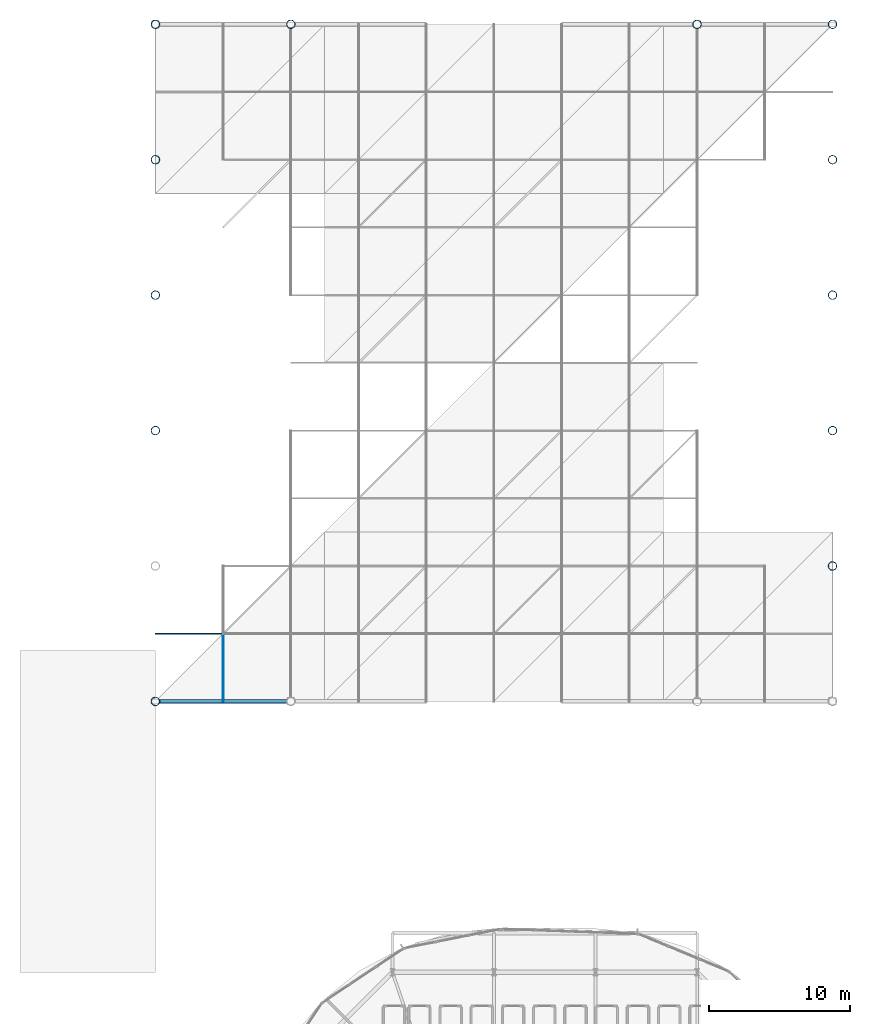
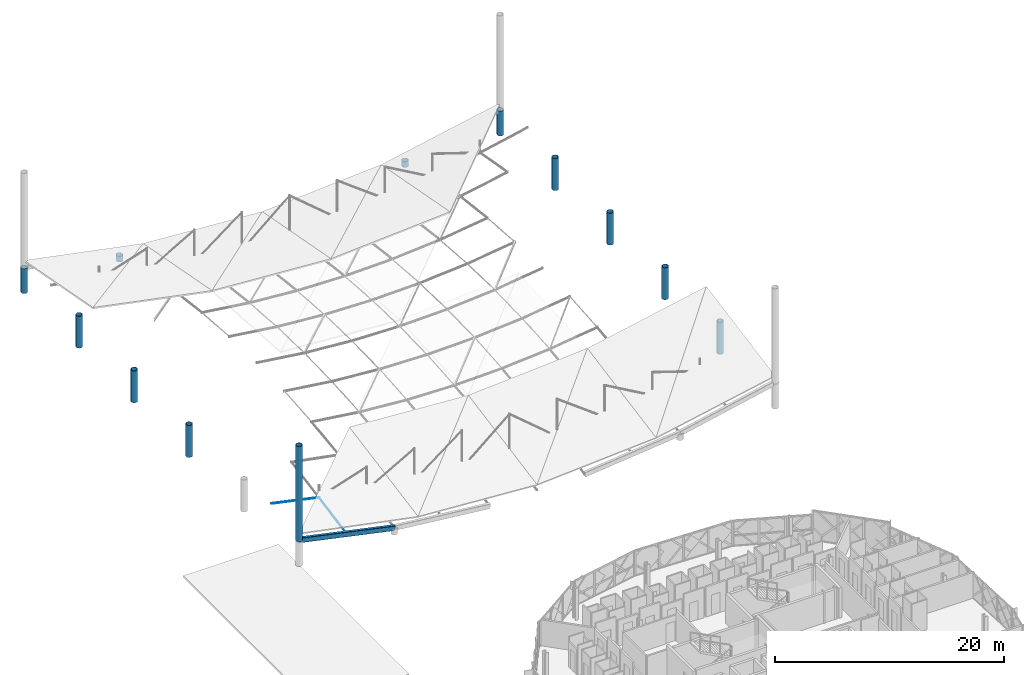
# One storey, part 6 of 40: 11 columns, 3 members, 1 beam.
"""IFC4 building model written with IfcOpenShell, lengths in metres."""

from ifc_helpers import new_model, si_unit, direction, frame, origin, origin_2d, place, context, subcontext, project, spatial, hollow_rectangle, circle, hollow_circle, extrude, material, material_profile, profile_set, type_object, element, save


model = new_model("IFC4")

# Units and contexts
model_context = context("Model", 3, precision=1e-05, world=origin(), true_north=direction((0.0, 1.0)))
body_context = subcontext(model_context, "Body", "Model", "MODEL_VIEW")
ifc_project = project(units=[si_unit("LENGTHUNIT", "METRE"), si_unit("AREAUNIT", "SQUARE_METRE"), si_unit("VOLUMEUNIT", "CUBIC_METRE"), si_unit("PLANEANGLEUNIT", "RADIAN"), si_unit("MASSUNIT", "GRAM", prefix="KILO")], contexts=[model_context])

# Site, building, storey
site_placement = place(None, origin())
site = spatial("IfcSite", under=ifc_project, at=site_placement, CompositionType="ELEMENT")
building_placement = place(site_placement, origin())
building = spatial("IfcBuilding", under=site, at=building_placement, Name="Zevrakil Square Congress Hotel", CompositionType="ELEMENT")
storey_placement = place(building_placement, frame((0.0, 0.0, 18.10009765625)))
storey = spatial("IfcBuildingStorey", under=building, at=storey_placement, Name="L05", CompositionType="ELEMENT", Elevation=18.10009765625)

# Columns
ifc_material_1 = material(Name="Steel S355", Category="steel")
ifc_material_profile_1 = material_profile(ifc_material_1, hollow_circle(Radius=0.304931640625, WallThickness=0.02490234375, at=origin_2d()), Name="CHS 610x25")
ifc_profile_set_1 = profile_set([ifc_material_profile_1], Name="Steel S355")
column_type = type_object("IfcColumnType", Name="COL-CHS610", PredefinedType="COLUMN", material=ifc_profile_set_1)
for number, where, z_axis, x_axis, name in (
    (1, (165.60009765625, 74.39990234375, 0.0), (0.0, 0.0, 1.0), (1.0, 0.0, 0.0), "L05 Congress ring pedestal column CP-07"),
    (2, (165.60009765625, 84.0, 0.0), (0.0, 0.0, 1.0), (1.0, 0.0, 0.0), "L05 Congress ring pedestal column CP-08"),
    (3, (165.60009765625, 93.60009765625, 0.0), (0.0, 0.0, 1.0), (1.0, 0.0, 0.0), "L05 Congress ring pedestal column CP-09"),
    (4, (165.60009765625, 103.199951171875, 0.0), (0.0, 0.0, 1.0), (1.0, 0.0, 0.0), "L05 Congress ring pedestal column CP-10"),
):
    element("IfcColumn", number, at=place(storey_placement, frame(where, z_axis=z_axis, x_axis=x_axis)), inside=storey, type_object=column_type, Name=name, PredefinedType="COLUMN", context=body_context, shape_type="SweptSolid", body=[
        extrude(hollow_circle(Radius=0.304931640625, WallThickness=0.02490234375, at=origin_2d()), origin(), (0.0, 0.0, 1.0), 3.39990234375),
    ])
column_1_placement = place(storey_placement, frame((165.60009765625, 112.800048828125, 0.0), z_axis=(0.0, 0.0, 1.0), x_axis=(1.0, 0.0, 0.0)))
element("IfcColumn", 5, at=column_1_placement, inside=storey, type_object=column_type, Name="L05 Congress ring pedestal column CP-11", PredefinedType="COLUMN", context=body_context, shape_type="SweptSolid", body=[
    extrude(hollow_circle(Radius=0.304931640625, WallThickness=0.02490234375, at=origin_2d()), origin(), (0.0, 0.0, 1.0), 2.64990234375),
])
for number, where, z_axis, x_axis, name in (
    (6, (156.0, 112.800048828125, 0.0), (0.0, 0.0, 1.0), (1.0, 0.0, 0.0), "L05 Congress ring pedestal column CP-12"),
    (7, (127.199951171875, 112.800048828125, 0.0), (0.0, 0.0, 1.0), (1.0, 0.0, 0.0), "L05 Congress ring pedestal column CP-15"),
):
    element("IfcColumn", number, at=place(storey_placement, frame(where, z_axis=z_axis, x_axis=x_axis)), inside=storey, type_object=column_type, Name=name, PredefinedType="COLUMN", context=body_context, shape_type="SweptSolid", body=[
        extrude(hollow_circle(Radius=0.304931640625, WallThickness=0.02490234375, at=origin_2d()), origin(), (0.0, 0.0, 1.0), 0.601806640625),
    ])
column_2_placement = place(storey_placement, frame((117.60009765625, 112.800048828125, 0.0), z_axis=(0.0, 0.0, 1.0), x_axis=(1.0, 0.0, 0.0)))
element("IfcColumn", 8, at=column_2_placement, inside=storey, type_object=column_type, Name="L05 Congress ring pedestal column CP-16", PredefinedType="COLUMN", context=body_context, shape_type="SweptSolid", body=[
    extrude(hollow_circle(Radius=0.304931640625, WallThickness=0.02490234375, at=origin_2d()), origin(), (0.0, 0.0, 1.0), 2.64990234375),
])
for number, where, z_axis, x_axis, name in (
    (9, (117.60009765625, 103.199951171875, 0.0), (0.0, 0.0, 1.0), (1.0, 0.0, 0.0), "L05 Congress ring pedestal column CP-17"),
    (10, (117.60009765625, 93.60009765625, 0.0), (0.0, 0.0, 1.0), (1.0, 0.0, 0.0), "L05 Congress ring pedestal column CP-18"),
    (11, (117.60009765625, 84.0, 0.0), (0.0, 0.0, 1.0), (1.0, 0.0, 0.0), "L05 Congress ring pedestal column CP-19"),
):
    element("IfcColumn", number, at=place(storey_placement, frame(where, z_axis=z_axis, x_axis=x_axis)), inside=storey, type_object=column_type, Name=name, PredefinedType="COLUMN", context=body_context, shape_type="SweptSolid", body=[
        extrude(hollow_circle(Radius=0.304931640625, WallThickness=0.02490234375, at=origin_2d()), origin(), (0.0, 0.0, 1.0), 3.39990234375),
    ])

# Members
ifc_material_2 = material(Name="Steel S355", Category="steel")
ifc_material_profile_2 = material_profile(ifc_material_2, circle(Radius=0.033935546875, at=origin_2d()), Name="CABLE RD68")
ifc_profile_set_2 = profile_set([ifc_material_profile_2], Name="Steel S355")
member_type_1 = type_object("IfcMemberType", Name="MEM-CABLE-RD68", PredefinedType="USERDEFINED", material=ifc_profile_set_2)
member_1_placement = place(storey_placement, frame((122.39990234375, 64.800048828125, 1.6259765625), z_axis=(0.0, 0.980505798462, 0.196490150345), x_axis=(-1.0, 0.0, 0.0)))
element("IfcMember", 12, at=member_1_placement, inside=storey, type_object=member_type_1, Name="Congress saddle stabilizing cable CBH-01 seg 1", ObjectType="ROOF CABLE", PredefinedType="USERDEFINED", context=body_context, shape_type="SweptSolid", body=[
    extrude(circle(Radius=0.033935546875, at=origin_2d()), origin(), (0.0, 0.0, 1.0), 4.8955078125),
])
ifc_material_3 = material(Name="Steel S355", Category="steel")
ifc_material_profile_3 = material_profile(ifc_material_3, circle(Radius=0.0380859375, at=origin_2d()), Name="CABLE RD76")
ifc_profile_set_3 = profile_set([ifc_material_profile_3], Name="Steel S355")
member_type_2 = type_object("IfcMemberType", Name="MEM-CABLE-RD76", PredefinedType="USERDEFINED", material=ifc_profile_set_3)
member_2_placement = place(storey_placement, frame((117.60009765625, 69.60009765625, 3.60986328125), z_axis=(0.977658092129, 0.0, -0.210201462636), x_axis=(0.0, 1.0, 0.0)))
element("IfcMember", 13, at=member_2_placement, inside=storey, type_object=member_type_2, Name="Congress saddle carrying cable CBS-01 seg 1", ObjectType="ROOF CABLE", PredefinedType="USERDEFINED", context=body_context, shape_type="SweptSolid", body=[
    extrude(circle(Radius=0.0380859375, at=origin_2d()), origin(), (0.0, 0.0, 1.0), 4.909423828125),
])
ifc_material_4 = material(Name="Steel S355", Category="steel")
ifc_material_profile_4 = material_profile(ifc_material_4, hollow_circle(Radius=0.304931640625, WallThickness=0.02490234375, at=origin_2d()), Name="CHS 610x25")
ifc_profile_set_4 = profile_set([ifc_material_profile_4], Name="Steel S355")
member_type_3 = type_object("IfcMemberType", Name="MEM-MAST-CHS610", PredefinedType="CHORD", material=ifc_profile_set_4)
member_3_placement = place(storey_placement, frame((117.60009765625, 64.800048828125, 2.64990234375), z_axis=(0.0, 0.0, 1.0), x_axis=(1.0, 0.0, 0.0)))
element("IfcMember", 14, at=member_3_placement, inside=storey, type_object=member_type_3, Name="Congress Hall stayed corner mast MS-01", PredefinedType="CHORD", context=body_context, shape_type="SweptSolid", body=[
    extrude(hollow_circle(Radius=0.304931640625, WallThickness=0.02490234375, at=origin_2d()), origin(), (0.0, 0.0, 1.0), 10.14990234375),
])

# Beam
ifc_material_5 = material(Name="Steel S355", Category="steel")
ifc_material_profile_5 = material_profile(ifc_material_5, hollow_rectangle(XDim=0.300048828125, YDim=0.5, WallThickness=0.02001953125, InnerFilletRadius=0.02001953125, OuterFilletRadius=0.0400390625, at=origin_2d()), Name="RHS 500x300x20")
ifc_profile_set_5 = profile_set([ifc_material_profile_5], Name="Steel S355")
beam_type = type_object("IfcBeamType", Name="RNG-RHS500", PredefinedType="USERDEFINED", material=ifc_profile_set_5)
beam_placement = place(storey_placement, frame((117.60009765625, 64.800048828125, 2.64990234375), z_axis=(0.977990197322, 0.0, -0.208650842179), x_axis=(0.0, 1.0, 0.0)))
element("IfcBeam", 15, at=beam_placement, inside=storey, type_object=beam_type, Name="Congress Hall compression ring beam RB-01", ObjectType="RING BEAM", PredefinedType="USERDEFINED", context=body_context, shape_type="SweptSolid", body=[
    extrude(hollow_rectangle(XDim=0.300048828125, YDim=0.5, WallThickness=0.02001953125, InnerFilletRadius=0.02001953125, OuterFilletRadius=0.0400390625, at=origin_2d()), origin(), (0.0, 0.0, 1.0), 9.81591796875),
])

save(model, "model.ifc")
